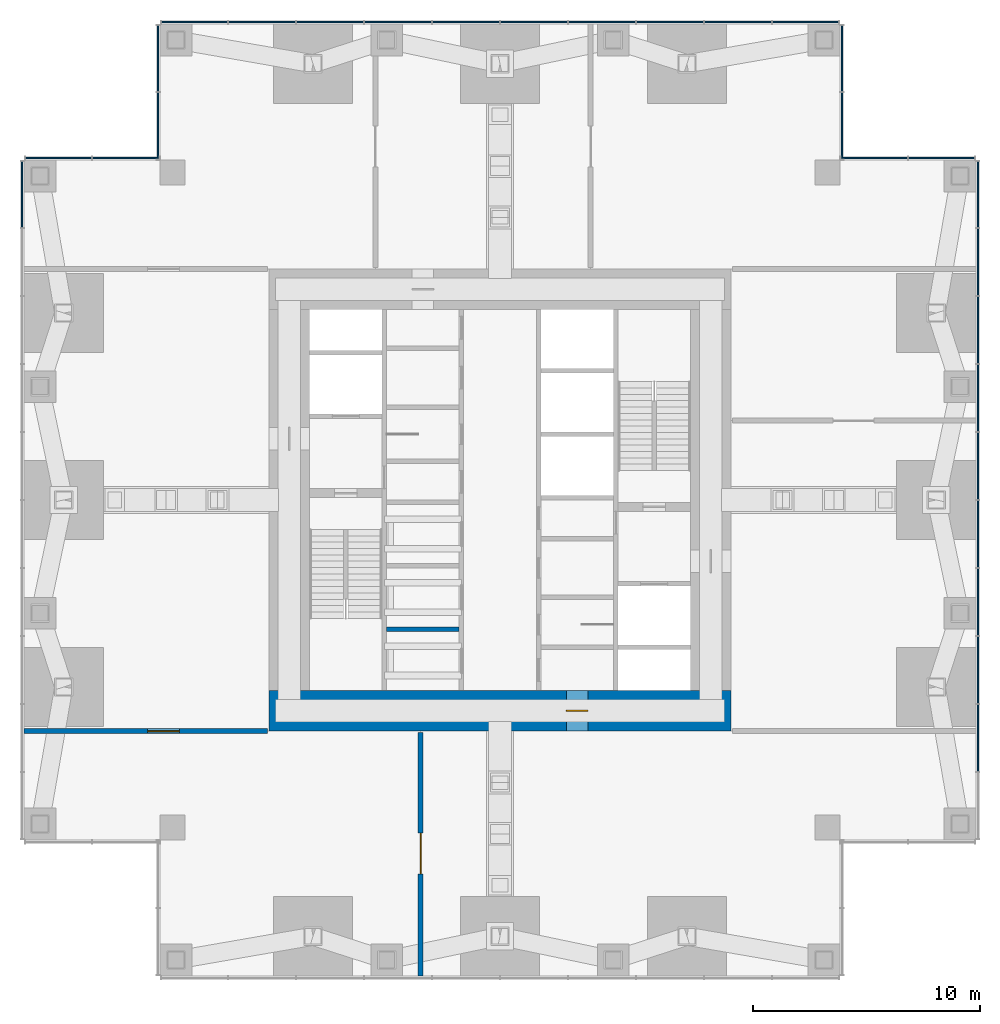
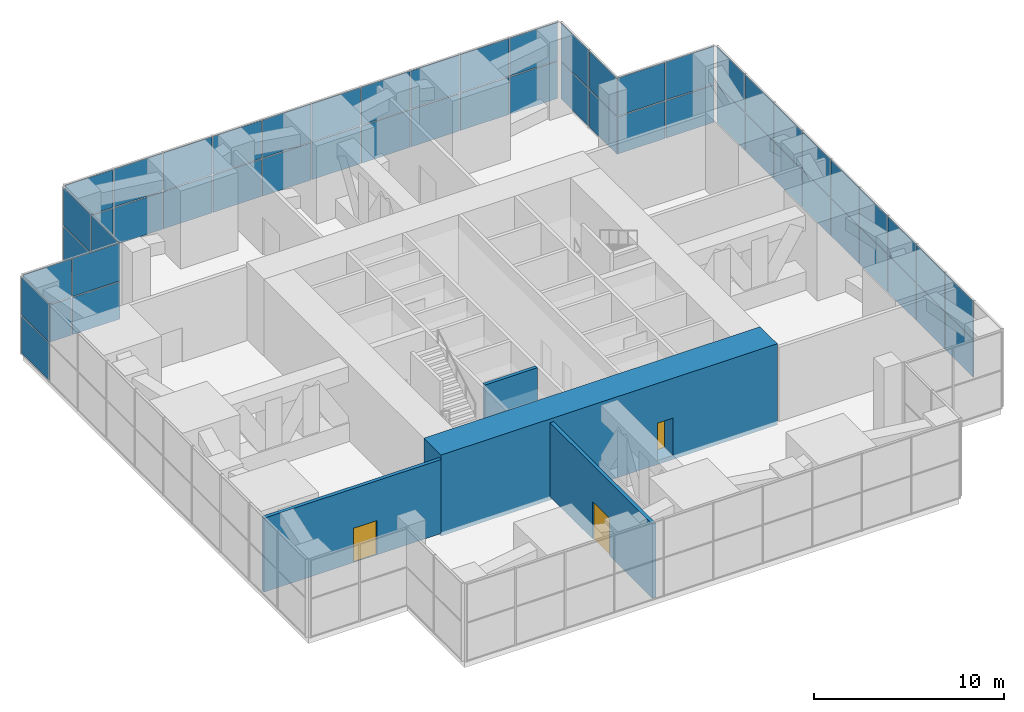
# One storey, part 10 of 13: 56 plates, 4 walls, 3 doors, 3 openings, 7 elements without a shape of their own.
"""IFC4 building model written with IfcOpenShell, lengths in metres."""

from ifc_helpers import new_model, si_unit, direction, frame, frame_2d, origin, origin_2d, place, context, subcontext, project, spatial, rectangle, extrude, material, layer, layer_set, type_object, element, fill, aggregate, save


model = new_model("IFC4")

# Units and contexts
model_context = context("Model", 3, precision=1e-05, world=origin(), true_north=direction((0.0, 1.0)))
body_context = subcontext(model_context, "Body", "Model", "MODEL_VIEW")
ifc_project = project(units=[si_unit("LENGTHUNIT", "METRE"), si_unit("AREAUNIT", "SQUARE_METRE"), si_unit("VOLUMEUNIT", "CUBIC_METRE"), si_unit("PLANEANGLEUNIT", "RADIAN"), si_unit("MASSUNIT", "GRAM", prefix="KILO")], contexts=[model_context])

# Site, building, storey
site_placement = place(None, origin())
site = spatial("IfcSite", under=ifc_project, at=site_placement, CompositionType="ELEMENT")
building_placement = place(site_placement, origin())
building = spatial("IfcBuilding", under=site, at=building_placement, Name="Svetlomir Tower", CompositionType="ELEMENT")
storey_placement = place(building_placement, frame((0.0, 0.0, 86.5)))
storey = spatial("IfcBuildingStorey", under=building, at=storey_placement, Name="L20", CompositionType="ELEMENT", Elevation=86.5)

# Curtain wall, plates
ifc_material_1 = material(Name="Bronze anodised aluminium curtain wall", Category="aluminium")
curtain_wall_type = type_object("IfcCurtainWallType", Name="CURTAIN WALL CW3 PLANT LOUVRE", PredefinedType="NOTDEFINED", material=ifc_material_1)
curtain_wall_1_placement = place(storey_placement, origin())
curtain_wall_1 = element("IfcCurtainWall", 1, at=curtain_wall_1_placement, inside=storey, type_object=curtain_wall_type, Name="Curtain wall CW3 L20", PredefinedType="NOTDEFINED")
ifc_material_2 = material(Name="Bronze anodised aluminium louvre", Category="aluminium")
ifc_layer_1 = layer(ifc_material_2, 0.050048828125)
ifc_layer_set_1 = layer_set([ifc_layer_1], Name="Bronze anodised aluminium louvre")
plate_type = type_object("IfcPlateType", Name="CW3 LOUVRE PANEL 50", PredefinedType="CURTAIN_PANEL", material=ifc_layer_set_1)
plate_1_placement = place(storey_placement, frame((42.090087890625, 10.5, 0.06494140625), z_axis=(0.0, 0.0, 1.0), x_axis=(0.0, 1.0, 0.0)))
plate_1 = element("IfcPlate", 2, at=plate_1_placement, type_object=plate_type, Name="CW3 panel 2.1", PredefinedType="CURTAIN_PANEL", context=body_context, shape_type="SweptSolid", body=[
    extrude(rectangle(XDim=2.93505859375, YDim=0.050048828125, at=origin_2d()), origin(), (0.0, 0.0, 1.0), 2.38623046875),
])
plate_2_placement = place(storey_placement, frame((42.090087890625, 10.5, 2.51611328125), z_axis=(0.0, 0.0, 1.0), x_axis=(0.0, 1.0, 0.0)))
plate_2 = element("IfcPlate", 3, at=plate_2_placement, type_object=plate_type, Name="CW3 panel 2.2", PredefinedType="CURTAIN_PANEL", context=body_context, shape_type="SweptSolid", body=[
    extrude(rectangle(XDim=2.93505859375, YDim=0.050048828125, at=origin_2d()), origin(), (0.0, 0.0, 1.0), 2.418701171875),
])
plate_3_placement = place(storey_placement, frame((42.090087890625, 13.5, 0.06494140625), z_axis=(0.0, 0.0, 1.0), x_axis=(0.0, 1.0, 0.0)))
plate_3 = element("IfcPlate", 4, at=plate_3_placement, type_object=plate_type, Name="CW3 panel 3.1", PredefinedType="CURTAIN_PANEL", context=body_context, shape_type="SweptSolid", body=[
    extrude(rectangle(XDim=2.93505859375, YDim=0.050048828125, at=origin_2d()), origin(), (0.0, 0.0, 1.0), 2.38623046875),
])
plate_4_placement = place(storey_placement, frame((42.090087890625, 13.5, 2.51611328125), z_axis=(0.0, 0.0, 1.0), x_axis=(0.0, 1.0, 0.0)))
plate_4 = element("IfcPlate", 5, at=plate_4_placement, type_object=plate_type, Name="CW3 panel 3.2", PredefinedType="CURTAIN_PANEL", context=body_context, shape_type="SweptSolid", body=[
    extrude(rectangle(XDim=2.93505859375, YDim=0.050048828125, at=origin_2d()), origin(), (0.0, 0.0, 1.0), 2.418701171875),
])
plate_5_placement = place(storey_placement, frame((42.090087890625, 16.5, 0.06494140625), z_axis=(0.0, 0.0, 1.0), x_axis=(0.0, 1.0, 0.0)))
plate_5 = element("IfcPlate", 6, at=plate_5_placement, type_object=plate_type, Name="CW3 panel 4.1", PredefinedType="CURTAIN_PANEL", context=body_context, shape_type="SweptSolid", body=[
    extrude(rectangle(XDim=2.93505859375, YDim=0.050048828125, at=origin_2d()), origin(), (0.0, 0.0, 1.0), 2.38623046875),
])
plate_6_placement = place(storey_placement, frame((42.090087890625, 16.5, 2.51611328125), z_axis=(0.0, 0.0, 1.0), x_axis=(0.0, 1.0, 0.0)))
plate_6 = element("IfcPlate", 7, at=plate_6_placement, type_object=plate_type, Name="CW3 panel 4.2", PredefinedType="CURTAIN_PANEL", context=body_context, shape_type="SweptSolid", body=[
    extrude(rectangle(XDim=2.93505859375, YDim=0.050048828125, at=origin_2d()), origin(), (0.0, 0.0, 1.0), 2.418701171875),
])
plate_7_placement = place(storey_placement, frame((42.090087890625, 19.5, 0.06494140625), z_axis=(0.0, 0.0, 1.0), x_axis=(0.0, 1.0, 0.0)))
plate_7 = element("IfcPlate", 8, at=plate_7_placement, type_object=plate_type, Name="CW3 panel 5.1", PredefinedType="CURTAIN_PANEL", context=body_context, shape_type="SweptSolid", body=[
    extrude(rectangle(XDim=2.93505859375, YDim=0.050048828125, at=origin_2d()), origin(), (0.0, 0.0, 1.0), 2.38623046875),
])
plate_8_placement = place(storey_placement, frame((42.090087890625, 19.5, 2.51611328125), z_axis=(0.0, 0.0, 1.0), x_axis=(0.0, 1.0, 0.0)))
plate_8 = element("IfcPlate", 9, at=plate_8_placement, type_object=plate_type, Name="CW3 panel 5.2", PredefinedType="CURTAIN_PANEL", context=body_context, shape_type="SweptSolid", body=[
    extrude(rectangle(XDim=2.93505859375, YDim=0.050048828125, at=origin_2d()), origin(), (0.0, 0.0, 1.0), 2.418701171875),
])
plate_9_placement = place(storey_placement, frame((42.090087890625, 22.5, 0.06494140625), z_axis=(0.0, 0.0, 1.0), x_axis=(0.0, 1.0, 0.0)))
plate_9 = element("IfcPlate", 10, at=plate_9_placement, type_object=plate_type, Name="CW3 panel 6.1", PredefinedType="CURTAIN_PANEL", context=body_context, shape_type="SweptSolid", body=[
    extrude(rectangle(XDim=2.93505859375, YDim=0.050048828125, at=origin_2d()), origin(), (0.0, 0.0, 1.0), 2.38623046875),
])
plate_10_placement = place(storey_placement, frame((42.090087890625, 22.5, 2.51611328125), z_axis=(0.0, 0.0, 1.0), x_axis=(0.0, 1.0, 0.0)))
plate_10 = element("IfcPlate", 11, at=plate_10_placement, type_object=plate_type, Name="CW3 panel 6.2", PredefinedType="CURTAIN_PANEL", context=body_context, shape_type="SweptSolid", body=[
    extrude(rectangle(XDim=2.93505859375, YDim=0.050048828125, at=origin_2d()), origin(), (0.0, 0.0, 1.0), 2.418701171875),
])
plate_11_placement = place(storey_placement, frame((42.090087890625, 25.5, 0.06494140625), z_axis=(0.0, 0.0, 1.0), x_axis=(0.0, 1.0, 0.0)))
plate_11 = element("IfcPlate", 12, at=plate_11_placement, type_object=plate_type, Name="CW3 panel 7.1", PredefinedType="CURTAIN_PANEL", context=body_context, shape_type="SweptSolid", body=[
    extrude(rectangle(XDim=2.93505859375, YDim=0.050048828125, at=origin_2d()), origin(), (0.0, 0.0, 1.0), 2.38623046875),
])
plate_12_placement = place(storey_placement, frame((42.090087890625, 25.5, 2.51611328125), z_axis=(0.0, 0.0, 1.0), x_axis=(0.0, 1.0, 0.0)))
plate_12 = element("IfcPlate", 13, at=plate_12_placement, type_object=plate_type, Name="CW3 panel 7.2", PredefinedType="CURTAIN_PANEL", context=body_context, shape_type="SweptSolid", body=[
    extrude(rectangle(XDim=2.93505859375, YDim=0.050048828125, at=origin_2d()), origin(), (0.0, 0.0, 1.0), 2.418701171875),
])
plate_13_placement = place(storey_placement, frame((42.090087890625, 28.5, 0.06494140625), z_axis=(0.0, 0.0, 1.0), x_axis=(0.0, 1.0, 0.0)))
plate_13 = element("IfcPlate", 14, at=plate_13_placement, type_object=plate_type, Name="CW3 panel 8.1", PredefinedType="CURTAIN_PANEL", context=body_context, shape_type="SweptSolid", body=[
    extrude(rectangle(XDim=2.93505859375, YDim=0.050048828125, at=origin_2d()), origin(), (0.0, 0.0, 1.0), 2.38623046875),
])
plate_14_placement = place(storey_placement, frame((42.090087890625, 28.5, 2.51611328125), z_axis=(0.0, 0.0, 1.0), x_axis=(0.0, 1.0, 0.0)))
plate_14 = element("IfcPlate", 15, at=plate_14_placement, type_object=plate_type, Name="CW3 panel 8.2", PredefinedType="CURTAIN_PANEL", context=body_context, shape_type="SweptSolid", body=[
    extrude(rectangle(XDim=2.93505859375, YDim=0.050048828125, at=origin_2d()), origin(), (0.0, 0.0, 1.0), 2.418701171875),
])
plate_15_placement = place(storey_placement, frame((42.090087890625, 31.5, 0.06494140625), z_axis=(0.0, 0.0, 1.0), x_axis=(0.0, 1.0, 0.0)))
plate_15 = element("IfcPlate", 16, at=plate_15_placement, type_object=plate_type, Name="CW3 panel 9.1", PredefinedType="CURTAIN_PANEL", context=body_context, shape_type="SweptSolid", body=[
    extrude(rectangle(XDim=2.93505859375, YDim=0.050048828125, at=origin_2d()), origin(), (0.0, 0.0, 1.0), 2.38623046875),
])
plate_16_placement = place(storey_placement, frame((42.090087890625, 31.5, 2.51611328125), z_axis=(0.0, 0.0, 1.0), x_axis=(0.0, 1.0, 0.0)))
plate_16 = element("IfcPlate", 17, at=plate_16_placement, type_object=plate_type, Name="CW3 panel 9.2", PredefinedType="CURTAIN_PANEL", context=body_context, shape_type="SweptSolid", body=[
    extrude(rectangle(XDim=2.93505859375, YDim=0.050048828125, at=origin_2d()), origin(), (0.0, 0.0, 1.0), 2.418701171875),
])
plate_17_placement = place(storey_placement, frame((42.090087890625, 34.483642578125, 0.06494140625), z_axis=(0.0, 0.0, 1.0), x_axis=(0.0, 1.0, 0.0)))
plate_17 = element("IfcPlate", 18, at=plate_17_placement, type_object=plate_type, Name="CW3 panel 10.1", PredefinedType="CURTAIN_PANEL", context=body_context, shape_type="SweptSolid", body=[
    extrude(rectangle(XDim=2.902587890625, YDim=0.050048828125, at=origin_2d()), origin(), (0.0, 0.0, 1.0), 2.38623046875),
])
plate_18_placement = place(storey_placement, frame((42.090087890625, 34.483642578125, 2.51611328125), z_axis=(0.0, 0.0, 1.0), x_axis=(0.0, 1.0, 0.0)))
plate_18 = element("IfcPlate", 19, at=plate_18_placement, type_object=plate_type, Name="CW3 panel 10.2", PredefinedType="CURTAIN_PANEL", context=body_context, shape_type="SweptSolid", body=[
    extrude(rectangle(XDim=2.902587890625, YDim=0.050048828125, at=origin_2d()), origin(), (0.0, 0.0, 1.0), 2.418701171875),
])
aggregate(curtain_wall_1, [plate_1, plate_2, plate_3, plate_4, plate_5, plate_6, plate_7, plate_8, plate_9, plate_10, plate_11, plate_12, plate_13, plate_14, plate_15, plate_16, plate_17, plate_18])

curtain_wall_2_placement = place(storey_placement, origin())
curtain_wall_2 = element("IfcCurtainWall", 20, at=curtain_wall_2_placement, inside=storey, type_object=curtain_wall_type, Name="Curtain wall CW3 L20", PredefinedType="NOTDEFINED")
plate_19_placement = place(storey_placement, frame((40.483642578125, 36.090087890625, 0.06494140625), z_axis=(0.0, 0.0, 1.0), x_axis=(-1.0, 0.0, 0.0)))
plate_19 = element("IfcPlate", 21, at=plate_19_placement, type_object=plate_type, Name="CW3 panel 1.1", PredefinedType="CURTAIN_PANEL", context=body_context, shape_type="SweptSolid", body=[
    extrude(rectangle(XDim=2.902587890625, YDim=0.050048828125, at=origin_2d()), origin(), (0.0, 0.0, 1.0), 2.38623046875),
])
plate_20_placement = place(storey_placement, frame((40.483642578125, 36.090087890625, 2.51611328125), z_axis=(0.0, 0.0, 1.0), x_axis=(-1.0, 0.0, 0.0)))
plate_20 = element("IfcPlate", 22, at=plate_20_placement, type_object=plate_type, Name="CW3 panel 1.2", PredefinedType="CURTAIN_PANEL", context=body_context, shape_type="SweptSolid", body=[
    extrude(rectangle(XDim=2.902587890625, YDim=0.050048828125, at=origin_2d()), origin(), (0.0, 0.0, 1.0), 2.418701171875),
])
plate_21_placement = place(storey_placement, frame((37.516357421875, 36.090087890625, 0.06494140625), z_axis=(0.0, 0.0, 1.0), x_axis=(-1.0, 0.0, 0.0)))
plate_21 = element("IfcPlate", 23, at=plate_21_placement, type_object=plate_type, Name="CW3 panel 2.1", PredefinedType="CURTAIN_PANEL", context=body_context, shape_type="SweptSolid", body=[
    extrude(rectangle(XDim=2.902587890625, YDim=0.050048828125, at=origin_2d()), origin(), (0.0, 0.0, 1.0), 2.38623046875),
])
plate_22_placement = place(storey_placement, frame((37.516357421875, 36.090087890625, 2.51611328125), z_axis=(0.0, 0.0, 1.0), x_axis=(-1.0, 0.0, 0.0)))
plate_22 = element("IfcPlate", 24, at=plate_22_placement, type_object=plate_type, Name="CW3 panel 2.2", PredefinedType="CURTAIN_PANEL", context=body_context, shape_type="SweptSolid", body=[
    extrude(rectangle(XDim=2.902587890625, YDim=0.050048828125, at=origin_2d()), origin(), (0.0, 0.0, 1.0), 2.418701171875),
])
aggregate(curtain_wall_2, [plate_19, plate_20, plate_21, plate_22])

curtain_wall_3_placement = place(storey_placement, origin())
curtain_wall_3 = element("IfcCurtainWall", 25, at=curtain_wall_3_placement, inside=storey, type_object=curtain_wall_type, Name="Curtain wall CW3 L20", PredefinedType="NOTDEFINED")
plate_23_placement = place(storey_placement, frame((36.090087890625, 37.516357421875, 0.06494140625), z_axis=(0.0, 0.0, 1.0), x_axis=(0.0, 1.0, 0.0)))
plate_23 = element("IfcPlate", 26, at=plate_23_placement, type_object=plate_type, Name="CW3 panel 1.1", PredefinedType="CURTAIN_PANEL", context=body_context, shape_type="SweptSolid", body=[
    extrude(rectangle(XDim=2.902587890625, YDim=0.050048828125, at=origin_2d()), origin(), (0.0, 0.0, 1.0), 2.38623046875),
])
plate_24_placement = place(storey_placement, frame((36.090087890625, 37.516357421875, 2.51611328125), z_axis=(0.0, 0.0, 1.0), x_axis=(0.0, 1.0, 0.0)))
plate_24 = element("IfcPlate", 27, at=plate_24_placement, type_object=plate_type, Name="CW3 panel 1.2", PredefinedType="CURTAIN_PANEL", context=body_context, shape_type="SweptSolid", body=[
    extrude(rectangle(XDim=2.902587890625, YDim=0.050048828125, at=origin_2d()), origin(), (0.0, 0.0, 1.0), 2.418701171875),
])
plate_25_placement = place(storey_placement, frame((36.090087890625, 40.483642578125, 0.06494140625), z_axis=(0.0, 0.0, 1.0), x_axis=(0.0, 1.0, 0.0)))
plate_25 = element("IfcPlate", 28, at=plate_25_placement, type_object=plate_type, Name="CW3 panel 2.1", PredefinedType="CURTAIN_PANEL", context=body_context, shape_type="SweptSolid", body=[
    extrude(rectangle(XDim=2.902587890625, YDim=0.050048828125, at=origin_2d()), origin(), (0.0, 0.0, 1.0), 2.38623046875),
])
plate_26_placement = place(storey_placement, frame((36.090087890625, 40.483642578125, 2.51611328125), z_axis=(0.0, 0.0, 1.0), x_axis=(0.0, 1.0, 0.0)))
plate_26 = element("IfcPlate", 29, at=plate_26_placement, type_object=plate_type, Name="CW3 panel 2.2", PredefinedType="CURTAIN_PANEL", context=body_context, shape_type="SweptSolid", body=[
    extrude(rectangle(XDim=2.902587890625, YDim=0.050048828125, at=origin_2d()), origin(), (0.0, 0.0, 1.0), 2.418701171875),
])
aggregate(curtain_wall_3, [plate_23, plate_24, plate_25, plate_26])

curtain_wall_4_placement = place(storey_placement, origin())
curtain_wall_4 = element("IfcCurtainWall", 30, at=curtain_wall_4_placement, inside=storey, type_object=curtain_wall_type, Name="Curtain wall CW3 L20", PredefinedType="NOTDEFINED")
plate_27_placement = place(storey_placement, frame((34.483642578125, 42.090087890625, 0.06494140625), z_axis=(0.0, 0.0, 1.0), x_axis=(-1.0, 0.0, 0.0)))
plate_27 = element("IfcPlate", 31, at=plate_27_placement, type_object=plate_type, Name="CW3 panel 1.1", PredefinedType="CURTAIN_PANEL", context=body_context, shape_type="SweptSolid", body=[
    extrude(rectangle(XDim=2.902587890625, YDim=0.050048828125, at=origin_2d()), origin(), (0.0, 0.0, 1.0), 2.38623046875),
])
plate_28_placement = place(storey_placement, frame((34.483642578125, 42.090087890625, 2.51611328125), z_axis=(0.0, 0.0, 1.0), x_axis=(-1.0, 0.0, 0.0)))
plate_28 = element("IfcPlate", 32, at=plate_28_placement, type_object=plate_type, Name="CW3 panel 1.2", PredefinedType="CURTAIN_PANEL", context=body_context, shape_type="SweptSolid", body=[
    extrude(rectangle(XDim=2.902587890625, YDim=0.050048828125, at=origin_2d()), origin(), (0.0, 0.0, 1.0), 2.418701171875),
])
plate_29_placement = place(storey_placement, frame((31.5, 42.090087890625, 0.06494140625), z_axis=(0.0, 0.0, 1.0), x_axis=(-1.0, 0.0, 0.0)))
plate_29 = element("IfcPlate", 33, at=plate_29_placement, type_object=plate_type, Name="CW3 panel 2.1", PredefinedType="CURTAIN_PANEL", context=body_context, shape_type="SweptSolid", body=[
    extrude(rectangle(XDim=2.93505859375, YDim=0.050048828125, at=origin_2d()), origin(), (0.0, 0.0, 1.0), 2.38623046875),
])
plate_30_placement = place(storey_placement, frame((31.5, 42.090087890625, 2.51611328125), z_axis=(0.0, 0.0, 1.0), x_axis=(-1.0, 0.0, 0.0)))
plate_30 = element("IfcPlate", 34, at=plate_30_placement, type_object=plate_type, Name="CW3 panel 2.2", PredefinedType="CURTAIN_PANEL", context=body_context, shape_type="SweptSolid", body=[
    extrude(rectangle(XDim=2.93505859375, YDim=0.050048828125, at=origin_2d()), origin(), (0.0, 0.0, 1.0), 2.418701171875),
])
plate_31_placement = place(storey_placement, frame((28.5, 42.090087890625, 0.06494140625), z_axis=(0.0, 0.0, 1.0), x_axis=(-1.0, 0.0, 0.0)))
plate_31 = element("IfcPlate", 35, at=plate_31_placement, type_object=plate_type, Name="CW3 panel 3.1", PredefinedType="CURTAIN_PANEL", context=body_context, shape_type="SweptSolid", body=[
    extrude(rectangle(XDim=2.93505859375, YDim=0.050048828125, at=origin_2d()), origin(), (0.0, 0.0, 1.0), 2.38623046875),
])
plate_32_placement = place(storey_placement, frame((28.5, 42.090087890625, 2.51611328125), z_axis=(0.0, 0.0, 1.0), x_axis=(-1.0, 0.0, 0.0)))
plate_32 = element("IfcPlate", 36, at=plate_32_placement, type_object=plate_type, Name="CW3 panel 3.2", PredefinedType="CURTAIN_PANEL", context=body_context, shape_type="SweptSolid", body=[
    extrude(rectangle(XDim=2.93505859375, YDim=0.050048828125, at=origin_2d()), origin(), (0.0, 0.0, 1.0), 2.418701171875),
])
plate_33_placement = place(storey_placement, frame((25.5, 42.090087890625, 0.06494140625), z_axis=(0.0, 0.0, 1.0), x_axis=(-1.0, 0.0, 0.0)))
plate_33 = element("IfcPlate", 37, at=plate_33_placement, type_object=plate_type, Name="CW3 panel 4.1", PredefinedType="CURTAIN_PANEL", context=body_context, shape_type="SweptSolid", body=[
    extrude(rectangle(XDim=2.93505859375, YDim=0.050048828125, at=origin_2d()), origin(), (0.0, 0.0, 1.0), 2.38623046875),
])
plate_34_placement = place(storey_placement, frame((25.5, 42.090087890625, 2.51611328125), z_axis=(0.0, 0.0, 1.0), x_axis=(-1.0, 0.0, 0.0)))
plate_34 = element("IfcPlate", 38, at=plate_34_placement, type_object=plate_type, Name="CW3 panel 4.2", PredefinedType="CURTAIN_PANEL", context=body_context, shape_type="SweptSolid", body=[
    extrude(rectangle(XDim=2.93505859375, YDim=0.050048828125, at=origin_2d()), origin(), (0.0, 0.0, 1.0), 2.418701171875),
])
plate_35_placement = place(storey_placement, frame((22.5, 42.090087890625, 0.06494140625), z_axis=(0.0, 0.0, 1.0), x_axis=(-1.0, 0.0, 0.0)))
plate_35 = element("IfcPlate", 39, at=plate_35_placement, type_object=plate_type, Name="CW3 panel 5.1", PredefinedType="CURTAIN_PANEL", context=body_context, shape_type="SweptSolid", body=[
    extrude(rectangle(XDim=2.93505859375, YDim=0.050048828125, at=origin_2d()), origin(), (0.0, 0.0, 1.0), 2.38623046875),
])
plate_36_placement = place(storey_placement, frame((22.5, 42.090087890625, 2.51611328125), z_axis=(0.0, 0.0, 1.0), x_axis=(-1.0, 0.0, 0.0)))
plate_36 = element("IfcPlate", 40, at=plate_36_placement, type_object=plate_type, Name="CW3 panel 5.2", PredefinedType="CURTAIN_PANEL", context=body_context, shape_type="SweptSolid", body=[
    extrude(rectangle(XDim=2.93505859375, YDim=0.050048828125, at=origin_2d()), origin(), (0.0, 0.0, 1.0), 2.418701171875),
])
plate_37_placement = place(storey_placement, frame((19.5, 42.090087890625, 0.06494140625), z_axis=(0.0, 0.0, 1.0), x_axis=(-1.0, 0.0, 0.0)))
plate_37 = element("IfcPlate", 41, at=plate_37_placement, type_object=plate_type, Name="CW3 panel 6.1", PredefinedType="CURTAIN_PANEL", context=body_context, shape_type="SweptSolid", body=[
    extrude(rectangle(XDim=2.93505859375, YDim=0.050048828125, at=origin_2d()), origin(), (0.0, 0.0, 1.0), 2.38623046875),
])
plate_38_placement = place(storey_placement, frame((19.5, 42.090087890625, 2.51611328125), z_axis=(0.0, 0.0, 1.0), x_axis=(-1.0, 0.0, 0.0)))
plate_38 = element("IfcPlate", 42, at=plate_38_placement, type_object=plate_type, Name="CW3 panel 6.2", PredefinedType="CURTAIN_PANEL", context=body_context, shape_type="SweptSolid", body=[
    extrude(rectangle(XDim=2.93505859375, YDim=0.050048828125, at=origin_2d()), origin(), (0.0, 0.0, 1.0), 2.418701171875),
])
plate_39_placement = place(storey_placement, frame((16.5, 42.090087890625, 0.06494140625), z_axis=(0.0, 0.0, 1.0), x_axis=(-1.0, 0.0, 0.0)))
plate_39 = element("IfcPlate", 43, at=plate_39_placement, type_object=plate_type, Name="CW3 panel 7.1", PredefinedType="CURTAIN_PANEL", context=body_context, shape_type="SweptSolid", body=[
    extrude(rectangle(XDim=2.93505859375, YDim=0.050048828125, at=origin_2d()), origin(), (0.0, 0.0, 1.0), 2.38623046875),
])
plate_40_placement = place(storey_placement, frame((16.5, 42.090087890625, 2.51611328125), z_axis=(0.0, 0.0, 1.0), x_axis=(-1.0, 0.0, 0.0)))
plate_40 = element("IfcPlate", 44, at=plate_40_placement, type_object=plate_type, Name="CW3 panel 7.2", PredefinedType="CURTAIN_PANEL", context=body_context, shape_type="SweptSolid", body=[
    extrude(rectangle(XDim=2.93505859375, YDim=0.050048828125, at=origin_2d()), origin(), (0.0, 0.0, 1.0), 2.418701171875),
])
plate_41_placement = place(storey_placement, frame((13.5, 42.090087890625, 0.06494140625), z_axis=(0.0, 0.0, 1.0), x_axis=(-1.0, 0.0, 0.0)))
plate_41 = element("IfcPlate", 45, at=plate_41_placement, type_object=plate_type, Name="CW3 panel 8.1", PredefinedType="CURTAIN_PANEL", context=body_context, shape_type="SweptSolid", body=[
    extrude(rectangle(XDim=2.93505859375, YDim=0.050048828125, at=origin_2d()), origin(), (0.0, 0.0, 1.0), 2.38623046875),
])
plate_42_placement = place(storey_placement, frame((13.5, 42.090087890625, 2.51611328125), z_axis=(0.0, 0.0, 1.0), x_axis=(-1.0, 0.0, 0.0)))
plate_42 = element("IfcPlate", 46, at=plate_42_placement, type_object=plate_type, Name="CW3 panel 8.2", PredefinedType="CURTAIN_PANEL", context=body_context, shape_type="SweptSolid", body=[
    extrude(rectangle(XDim=2.93505859375, YDim=0.050048828125, at=origin_2d()), origin(), (0.0, 0.0, 1.0), 2.418701171875),
])
plate_43_placement = place(storey_placement, frame((10.5, 42.090087890625, 0.06494140625), z_axis=(0.0, 0.0, 1.0), x_axis=(-1.0, 0.0, 0.0)))
plate_43 = element("IfcPlate", 47, at=plate_43_placement, type_object=plate_type, Name="CW3 panel 9.1", PredefinedType="CURTAIN_PANEL", context=body_context, shape_type="SweptSolid", body=[
    extrude(rectangle(XDim=2.93505859375, YDim=0.050048828125, at=origin_2d()), origin(), (0.0, 0.0, 1.0), 2.38623046875),
])
plate_44_placement = place(storey_placement, frame((10.5, 42.090087890625, 2.51611328125), z_axis=(0.0, 0.0, 1.0), x_axis=(-1.0, 0.0, 0.0)))
plate_44 = element("IfcPlate", 48, at=plate_44_placement, type_object=plate_type, Name="CW3 panel 9.2", PredefinedType="CURTAIN_PANEL", context=body_context, shape_type="SweptSolid", body=[
    extrude(rectangle(XDim=2.93505859375, YDim=0.050048828125, at=origin_2d()), origin(), (0.0, 0.0, 1.0), 2.418701171875),
])
plate_45_placement = place(storey_placement, frame((7.516357421875, 42.090087890625, 0.06494140625), z_axis=(0.0, 0.0, 1.0), x_axis=(-1.0, 0.0, 0.0)))
plate_45 = element("IfcPlate", 49, at=plate_45_placement, type_object=plate_type, Name="CW3 panel 10.1", PredefinedType="CURTAIN_PANEL", context=body_context, shape_type="SweptSolid", body=[
    extrude(rectangle(XDim=2.902587890625, YDim=0.050048828125, at=origin_2d()), origin(), (0.0, 0.0, 1.0), 2.38623046875),
])
plate_46_placement = place(storey_placement, frame((7.516357421875, 42.090087890625, 2.51611328125), z_axis=(0.0, 0.0, 1.0), x_axis=(-1.0, 0.0, 0.0)))
plate_46 = element("IfcPlate", 50, at=plate_46_placement, type_object=plate_type, Name="CW3 panel 10.2", PredefinedType="CURTAIN_PANEL", context=body_context, shape_type="SweptSolid", body=[
    extrude(rectangle(XDim=2.902587890625, YDim=0.050048828125, at=origin_2d()), origin(), (0.0, 0.0, 1.0), 2.418701171875),
])
aggregate(curtain_wall_4, [plate_27, plate_28, plate_29, plate_30, plate_31, plate_32, plate_33, plate_34, plate_35, plate_36, plate_37, plate_38, plate_39, plate_40, plate_41, plate_42, plate_43, plate_44, plate_45, plate_46])

curtain_wall_5_placement = place(storey_placement, origin())
curtain_wall_5 = element("IfcCurtainWall", 51, at=curtain_wall_5_placement, inside=storey, type_object=curtain_wall_type, Name="Curtain wall CW3 L20", PredefinedType="NOTDEFINED")
plate_47_placement = place(storey_placement, frame((5.909912109375, 40.483642578125, 0.06494140625), z_axis=(0.0, 0.0, 1.0), x_axis=(0.0, -1.0, 0.0)))
plate_47 = element("IfcPlate", 52, at=plate_47_placement, type_object=plate_type, Name="CW3 panel 1.1", PredefinedType="CURTAIN_PANEL", context=body_context, shape_type="SweptSolid", body=[
    extrude(rectangle(XDim=2.902587890625, YDim=0.050048828125, at=origin_2d()), origin(), (0.0, 0.0, 1.0), 2.38623046875),
])
plate_48_placement = place(storey_placement, frame((5.909912109375, 40.483642578125, 2.51611328125), z_axis=(0.0, 0.0, 1.0), x_axis=(0.0, -1.0, 0.0)))
plate_48 = element("IfcPlate", 53, at=plate_48_placement, type_object=plate_type, Name="CW3 panel 1.2", PredefinedType="CURTAIN_PANEL", context=body_context, shape_type="SweptSolid", body=[
    extrude(rectangle(XDim=2.902587890625, YDim=0.050048828125, at=origin_2d()), origin(), (0.0, 0.0, 1.0), 2.418701171875),
])
plate_49_placement = place(storey_placement, frame((5.909912109375, 37.516357421875, 0.06494140625), z_axis=(0.0, 0.0, 1.0), x_axis=(0.0, -1.0, 0.0)))
plate_49 = element("IfcPlate", 54, at=plate_49_placement, type_object=plate_type, Name="CW3 panel 2.1", PredefinedType="CURTAIN_PANEL", context=body_context, shape_type="SweptSolid", body=[
    extrude(rectangle(XDim=2.902587890625, YDim=0.050048828125, at=origin_2d()), origin(), (0.0, 0.0, 1.0), 2.38623046875),
])
plate_50_placement = place(storey_placement, frame((5.909912109375, 37.516357421875, 2.51611328125), z_axis=(0.0, 0.0, 1.0), x_axis=(0.0, -1.0, 0.0)))
plate_50 = element("IfcPlate", 55, at=plate_50_placement, type_object=plate_type, Name="CW3 panel 2.2", PredefinedType="CURTAIN_PANEL", context=body_context, shape_type="SweptSolid", body=[
    extrude(rectangle(XDim=2.902587890625, YDim=0.050048828125, at=origin_2d()), origin(), (0.0, 0.0, 1.0), 2.418701171875),
])
aggregate(curtain_wall_5, [plate_47, plate_48, plate_49, plate_50])

curtain_wall_6_placement = place(storey_placement, origin())
curtain_wall_6 = element("IfcCurtainWall", 56, at=curtain_wall_6_placement, inside=storey, type_object=curtain_wall_type, Name="Curtain wall CW3 L20", PredefinedType="NOTDEFINED")
plate_51_placement = place(storey_placement, frame((4.483642578125, 36.090087890625, 0.06494140625), z_axis=(0.0, 0.0, 1.0), x_axis=(-1.0, 0.0, 0.0)))
plate_51 = element("IfcPlate", 57, at=plate_51_placement, type_object=plate_type, Name="CW3 panel 1.1", PredefinedType="CURTAIN_PANEL", context=body_context, shape_type="SweptSolid", body=[
    extrude(rectangle(XDim=2.902587890625, YDim=0.050048828125, at=origin_2d()), origin(), (0.0, 0.0, 1.0), 2.38623046875),
])
plate_52_placement = place(storey_placement, frame((4.483642578125, 36.090087890625, 2.51611328125), z_axis=(0.0, 0.0, 1.0), x_axis=(-1.0, 0.0, 0.0)))
plate_52 = element("IfcPlate", 58, at=plate_52_placement, type_object=plate_type, Name="CW3 panel 1.2", PredefinedType="CURTAIN_PANEL", context=body_context, shape_type="SweptSolid", body=[
    extrude(rectangle(XDim=2.902587890625, YDim=0.050048828125, at=origin_2d()), origin(), (0.0, 0.0, 1.0), 2.418701171875),
])
plate_53_placement = place(storey_placement, frame((1.516357421875, 36.090087890625, 0.06494140625), z_axis=(0.0, 0.0, 1.0), x_axis=(-1.0, 0.0, 0.0)))
plate_53 = element("IfcPlate", 59, at=plate_53_placement, type_object=plate_type, Name="CW3 panel 2.1", PredefinedType="CURTAIN_PANEL", context=body_context, shape_type="SweptSolid", body=[
    extrude(rectangle(XDim=2.902587890625, YDim=0.050048828125, at=origin_2d()), origin(), (0.0, 0.0, 1.0), 2.38623046875),
])
plate_54_placement = place(storey_placement, frame((1.516357421875, 36.090087890625, 2.51611328125), z_axis=(0.0, 0.0, 1.0), x_axis=(-1.0, 0.0, 0.0)))
plate_54 = element("IfcPlate", 60, at=plate_54_placement, type_object=plate_type, Name="CW3 panel 2.2", PredefinedType="CURTAIN_PANEL", context=body_context, shape_type="SweptSolid", body=[
    extrude(rectangle(XDim=2.902587890625, YDim=0.050048828125, at=origin_2d()), origin(), (0.0, 0.0, 1.0), 2.418701171875),
])
aggregate(curtain_wall_6, [plate_51, plate_52, plate_53, plate_54])

curtain_wall_7_placement = place(storey_placement, origin())
curtain_wall_7 = element("IfcCurtainWall", 61, at=curtain_wall_7_placement, inside=storey, type_object=curtain_wall_type, Name="Curtain wall CW3 L20", PredefinedType="NOTDEFINED")
plate_55_placement = place(storey_placement, frame((-0.090087890625, 34.483642578125, 0.06494140625), z_axis=(0.0, 0.0, 1.0), x_axis=(0.0, -1.0, 0.0)))
plate_55 = element("IfcPlate", 62, at=plate_55_placement, type_object=plate_type, Name="CW3 panel 1.1", PredefinedType="CURTAIN_PANEL", context=body_context, shape_type="SweptSolid", body=[
    extrude(rectangle(XDim=2.902587890625, YDim=0.050048828125, at=origin_2d()), origin(), (0.0, 0.0, 1.0), 2.38623046875),
])
plate_56_placement = place(storey_placement, frame((-0.090087890625, 34.483642578125, 2.51611328125), z_axis=(0.0, 0.0, 1.0), x_axis=(0.0, -1.0, 0.0)))
plate_56 = element("IfcPlate", 63, at=plate_56_placement, type_object=plate_type, Name="CW3 panel 1.2", PredefinedType="CURTAIN_PANEL", context=body_context, shape_type="SweptSolid", body=[
    extrude(rectangle(XDim=2.902587890625, YDim=0.050048828125, at=origin_2d()), origin(), (0.0, 0.0, 1.0), 2.418701171875),
])
aggregate(curtain_wall_7, [plate_55, plate_56])

# Wall, opening, door
ifc_material_3 = material(Name="Dense concrete blockwork", Category="masonry")
ifc_layer_2 = layer(ifc_material_3, 0.215087890625)
ifc_layer_set_2 = layer_set([ifc_layer_2], Name="Dense concrete blockwork")
wall_type_1 = type_object("IfcWallType", Name="BLOCKWORK WALL 215", PredefinedType="PARTITIONING", material=ifc_layer_set_2)
wall_1_placement = place(storey_placement, frame((0.0, 10.800048828125, 0.0), z_axis=(0.0, 0.0, 1.0), x_axis=(1.0, 0.0, 0.0)))
wall_1 = element("IfcWall", 64, at=wall_1_placement, inside=storey, type_object=wall_type_1, Name="Refuge area wall L20", PredefinedType="PARTITIONING", context=body_context, shape_type="SweptSolid", body=[
    extrude(rectangle(XDim=10.75, YDim=0.215087890625, at=frame_2d((5.375, 0.0))), origin(), (0.0, 0.0, 1.0), 4.75),
])
opening_1_placement = place(wall_1_placement, frame((5.449951171875, 0.0, 0.0)))
opening_1 = element("IfcOpeningElement", 65, at=opening_1_placement, cuts=wall_1, Name="Opening DF2", PredefinedType="OPENING", context=body_context, shape_type="SweptSolid", body=[
    extrude(rectangle(XDim=1.39990234375, YDim=2.199951171875, at=frame_2d((0.699951171875, 1.10009765625))), frame((0.0, 0.11767578125, 0.0), z_axis=(0.0, -1.0, 0.0), x_axis=(1.0, 0.0, 0.0)), (0.0, 0.0, 1.0), 0.235107421875),
])
ifc_material_4 = material(Name="Steel fire door", Category="steel")
door_type_1 = type_object("IfcDoorType", Name="DOOR DF2 1400x2200", OperationType="SINGLE_SWING_LEFT", PredefinedType="DOOR", material=ifc_material_4)
door_1_placement = place(opening_1_placement, origin())
door_1 = element("IfcDoor", 66, at=door_1_placement, inside=storey, type_object=door_type_1, Name="Refuge area fire door 1 L20", OperationType="SINGLE_SWING_LEFT", OverallHeight=2.199951171875, OverallWidth=1.39990234375, PredefinedType="DOOR", context=body_context, shape_type="SweptSolid", body=[
    extrude(rectangle(XDim=1.39990234375, YDim=2.199951171875, at=frame_2d((0.699951171875, 1.10009765625))), frame((0.0, 0.02490234375, 0.0), z_axis=(0.0, -1.0, 0.0), x_axis=(1.0, 0.0, 0.0)), (0.0, 0.0, 1.0), 0.050048828125),
])
fill(opening_1, door_1)

wall_2_placement = place(storey_placement, frame((17.5, 0.0, 0.0), z_axis=(0.0, 0.0, 1.0), x_axis=(0.0, 1.0, 0.0)))
wall_2 = element("IfcWall", 67, at=wall_2_placement, inside=storey, type_object=wall_type_1, Name="Partition L20", PredefinedType="PARTITIONING", context=body_context, shape_type="SweptSolid", body=[
    extrude(rectangle(XDim=10.75, YDim=0.215087890625, at=frame_2d((5.375, 0.0))), origin(), (0.0, 0.0, 1.0), 4.75),
])
opening_2_placement = place(wall_2_placement, frame((4.5, 0.0, 0.0)))
opening_2 = element("IfcOpeningElement", 68, at=opening_2_placement, cuts=wall_2, Name="Opening DP", PredefinedType="OPENING", context=body_context, shape_type="SweptSolid", body=[
    extrude(rectangle(XDim=1.800048828125, YDim=2.39990234375, at=frame_2d((0.89990234375, 1.199951171875))), frame((0.0, 0.11767578125, 0.0), z_axis=(0.0, -1.0, 0.0), x_axis=(1.0, 0.0, 0.0)), (0.0, 0.0, 1.0), 0.235107421875),
])
ifc_material_5 = material(Name="Steel fire door", Category="steel")
door_type_2 = type_object("IfcDoorType", Name="PLANT ROOM DOOR DP 1800x2400", OperationType="DOUBLE_DOOR_SINGLE_SWING", PredefinedType="DOOR", material=ifc_material_5)
door_2_placement = place(opening_2_placement, origin())
door_2 = element("IfcDoor", 69, at=door_2_placement, inside=storey, type_object=door_type_2, Name="Plant room - air handling west door L20", OperationType="DOUBLE_DOOR_SINGLE_SWING", OverallHeight=2.39990234375, OverallWidth=1.800048828125, PredefinedType="DOOR", context=body_context, shape_type="SweptSolid", body=[
    extrude(rectangle(XDim=1.800048828125, YDim=2.39990234375, at=frame_2d((0.89990234375, 1.199951171875))), frame((0.0, 0.02490234375, 0.0), z_axis=(0.0, -1.0, 0.0), x_axis=(1.0, 0.0, 0.0)), (0.0, 0.0, 1.0), 0.050048828125),
])
fill(opening_2, door_2)

# Wall
ifc_material_6 = material(Name="Concrete C60/75", Category="concrete")
ifc_layer_3 = layer(ifc_material_6, 0.199951171875)
ifc_layer_set_3 = layer_set([ifc_layer_3], Name="Concrete C60/75")
wall_type_2 = type_object("IfcWallType", Name="CORE INNER WALL 200", PredefinedType="SHEAR", material=ifc_layer_set_3)
wall_3_placement = place(storey_placement, frame((16.0, 15.300048828125, -0.25), z_axis=(0.0, 0.0, 1.0), x_axis=(1.0, 0.0, 0.0)))
element("IfcWall", 70, at=wall_3_placement, inside=storey, type_object=wall_type_2, Name="Core inner wall 16-19.2/15.3 L20", PredefinedType="SHEAR", context=body_context, shape_type="SweptSolid", body=[
    extrude(rectangle(XDim=3.199951171875, YDim=0.199951171875, at=frame_2d((1.60009765625, 0.0))), origin(), (0.0, 0.0, 1.0), 5.199951171875),
])

# Wall, opening, door
ifc_material_7 = material(Name="Concrete C60/75", Category="concrete")
ifc_layer_4 = layer(ifc_material_7, 1.800048828125)
ifc_layer_set_4 = layer_set([ifc_layer_4], Name="Concrete C60/75")
wall_type_3 = type_object("IfcWallType", Name="CORE WALL 1800", PredefinedType="SHEAR", material=ifc_layer_set_4)
wall_4_placement = place(storey_placement, frame((10.800048828125, 11.699951171875, -0.25), z_axis=(0.0, 0.0, 1.0), x_axis=(1.0, 0.0, 0.0)))
wall_4 = element("IfcWall", 71, at=wall_4_placement, inside=storey, type_object=wall_type_3, Name="Core wall south L20", PredefinedType="SHEAR", context=body_context, shape_type="SweptSolid", body=[
    extrude(rectangle(XDim=20.39990234375, YDim=1.800048828125, at=frame_2d((10.199951171875, 0.0))), origin(), (0.0, 0.0, 1.0), 5.199951171875),
])
opening_3_placement = place(wall_4_placement, frame((13.125, 0.0, 0.25)))
opening_3 = element("IfcOpeningElement", 72, at=opening_3_placement, cuts=wall_4, Name="Opening DP2", PredefinedType="OPENING", context=body_context, shape_type="SweptSolid", body=[
    extrude(rectangle(XDim=0.949951171875, YDim=2.39990234375, at=frame_2d((0.47509765625, 1.199951171875))), frame((0.0, 0.91015625, 0.0), z_axis=(0.0, -1.0, 0.0), x_axis=(1.0, 0.0, 0.0)), (0.0, 0.0, 1.0), 1.820068359375),
])
ifc_material_8 = material(Name="Steel fire door", Category="steel")
door_type_3 = type_object("IfcDoorType", Name="PLANT ROOM DOOR DP2 950x2400", OperationType="SINGLE_SWING_LEFT", PredefinedType="DOOR", material=ifc_material_8)
door_3_placement = place(opening_3_placement, origin())
door_3 = element("IfcDoor", 73, at=door_3_placement, inside=storey, type_object=door_type_3, Name="Core south corridor plant door L20", OperationType="SINGLE_SWING_RIGHT", OverallHeight=2.39990234375, OverallWidth=0.949951171875, PredefinedType="DOOR", context=body_context, shape_type="SweptSolid", body=[
    extrude(rectangle(XDim=0.949951171875, YDim=2.39990234375, at=frame_2d((0.47509765625, 1.199951171875))), frame((0.0, 0.02490234375, 0.0), z_axis=(0.0, -1.0, 0.0), x_axis=(1.0, 0.0, 0.0)), (0.0, 0.0, 1.0), 0.050048828125),
])
fill(opening_3, door_3)

save(model, "model.ifc")
